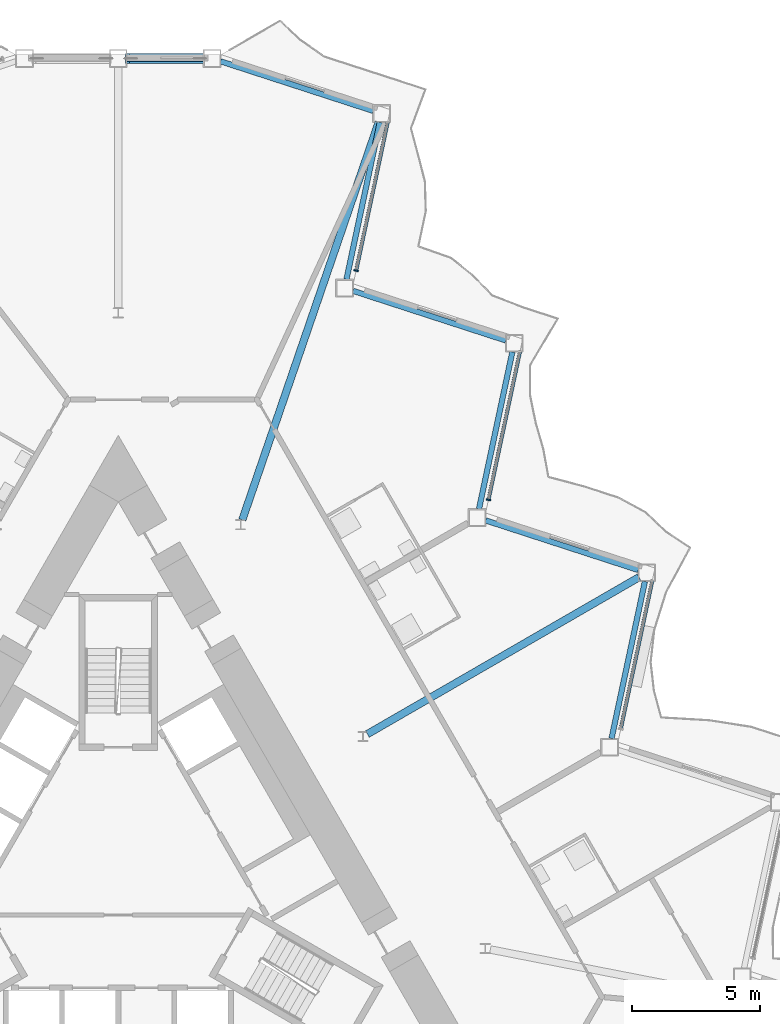
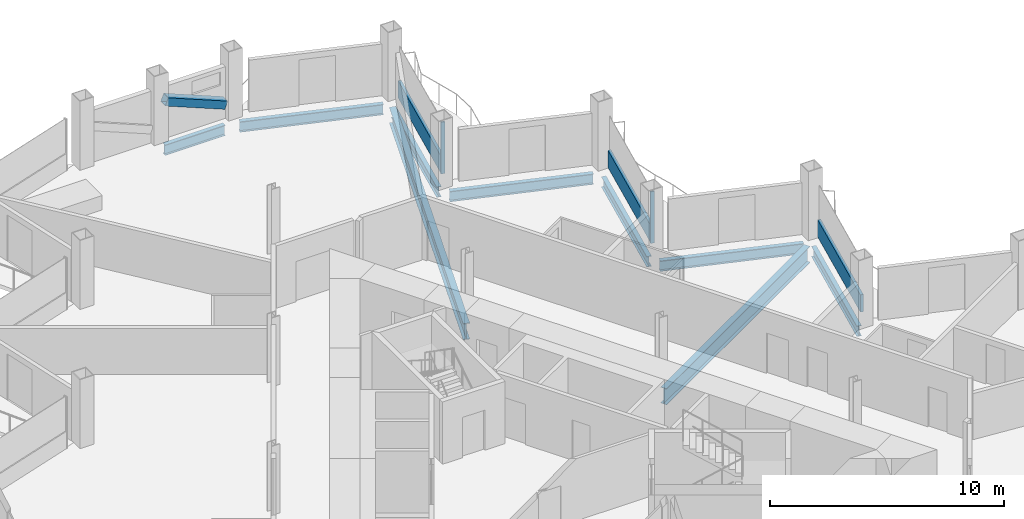
# One storey, part 9 of 23: 9 beams, 6 members, 3 elements without a shape of their own.
"""IFC4 building model written with IfcOpenShell, lengths in metres."""

from ifc_helpers import new_model, si_unit, direction, frame, origin, origin_2d, place, context, subcontext, project, spatial, rectangle, hollow_rectangle, i_section, extrude, material, layer, layer_set, material_profile, profile_set, type_object, element, aggregate, save


model = new_model("IFC4")

# Units and contexts
model_context = context("Model", 3, precision=1e-05, world=origin(), true_north=direction((0.0, 1.0)))
body_context = subcontext(model_context, "Body", "Model", "MODEL_VIEW")
ifc_project = project(units=[si_unit("LENGTHUNIT", "METRE"), si_unit("AREAUNIT", "SQUARE_METRE"), si_unit("VOLUMEUNIT", "CUBIC_METRE"), si_unit("PLANEANGLEUNIT", "RADIAN"), si_unit("MASSUNIT", "GRAM", prefix="KILO")], contexts=[model_context])

# Site, building, storey
site_placement = place(None, origin())
site = spatial("IfcSite", under=ifc_project, at=site_placement, CompositionType="ELEMENT")
building_placement = place(site_placement, origin())
building = spatial("IfcBuilding", under=site, at=building_placement, Name="Cormorant Prow Tower", CompositionType="ELEMENT")
storey_placement = place(building_placement, frame((0.0, 0.0, 252.60009765625)))
storey = spatial("IfcBuildingStorey", under=building, at=storey_placement, Name="L56", CompositionType="ELEMENT", Elevation=252.60009765625)

# Member
ifc_material_1 = material(Name="Structural steel ASTM A500 Gr C", Category="steel")
ifc_material_profile_1 = material_profile(ifc_material_1, hollow_rectangle(XDim=0.406494140625, YDim=0.406494140625, WallThickness=0.01171875, at=origin_2d()), Name="HSS16x16x1/2")
ifc_profile_set_1 = profile_set([ifc_material_profile_1], Name="Structural steel ASTM A500 Gr C")
member_type_1 = type_object("IfcMemberType", Name="Chamfer brace HSS16x16x1/2", PredefinedType="BRACE", material=ifc_profile_set_1)
member_1_placement = place(storey_placement, frame((3.3046875, 32.073486328125, 0.74951171875), z_axis=(-0.925591042089, 0.0, 0.37852506232), x_axis=(0.0, -1.0, 0.0)))
element("IfcMember", 1, at=member_1_placement, inside=storey, type_object=member_type_1, Name="Chamfer brace BR2 at N00 L56", PredefinedType="BRACE", context=body_context, shape_type="SweptSolid", body=[
    extrude(hollow_rectangle(XDim=0.406494140625, YDim=0.406494140625, WallThickness=0.01171875, at=origin_2d()), origin(), (0.0, 0.0, 1.0), 3.17529296875),
])

# Curtain wall, member
ifc_material_2 = material(Name="Aluminium 6063-T6", Category="aluminium")
ifc_layer = layer(ifc_material_2, 0.179931640625)
ifc_layer_set = layer_set([ifc_layer], Name="Aluminium 6063-T6")
curtain_wall_type = type_object("IfcCurtainWallType", Name="Hotel unitised curtain wall 180", PredefinedType="NOTDEFINED", material=ifc_layer_set)
curtain_wall_1_placement = place(storey_placement, origin())
curtain_wall_1 = element("IfcCurtainWall", 2, at=curtain_wall_1_placement, inside=storey, type_object=curtain_wall_type, Name="Hotel curtain wall ENE06", PredefinedType="NOTDEFINED")
ifc_material_3 = material(Name="Aluminium 6063-T6", Category="aluminium")
ifc_material_profile_2 = material_profile(ifc_material_3, rectangle(XDim=0.179931640625, YDim=0.06005859375, at=origin_2d()), Name="Hotel mullion 60x180")
ifc_profile_set_2 = profile_set([ifc_material_profile_2], Name="Aluminium 6063-T6")
member_type_2 = type_object("IfcMemberType", Name="Hotel mullion 60x180", PredefinedType="MULLION", material=ifc_profile_set_2)
member_2_placement = place(storey_placement, frame((14.489013671875, 14.8017578125, 0.0), z_axis=(0.0, 0.0, 1.0), x_axis=(-0.978147572038, 0.207911825822, 0.0)))
member_2 = element("IfcMember", 3, at=member_2_placement, type_object=member_type_2, Name="Hotel mullion ENE06", PredefinedType="MULLION", context=body_context, shape_type="SweptSolid", body=[
    extrude(rectangle(XDim=0.179931640625, YDim=0.06005859375, at=origin_2d()), origin(), (0.0, 0.0, 1.0), 2.70068359375),
])

curtain_wall_2_placement = place(storey_placement, origin())
curtain_wall_2 = element("IfcCurtainWall", 4, at=curtain_wall_2_placement, inside=storey, type_object=curtain_wall_type, Name="Hotel curtain wall ENE08", PredefinedType="NOTDEFINED")
member_3_placement = place(storey_placement, frame((9.3095703125, 23.77294921875, 0.0), z_axis=(0.0, 0.0, 1.0), x_axis=(-0.978147601216, 0.207911688547, 0.0)))
member_3 = element("IfcMember", 5, at=member_3_placement, type_object=member_type_2, Name="Hotel mullion ENE08", PredefinedType="MULLION", context=body_context, shape_type="SweptSolid", body=[
    extrude(rectangle(XDim=0.179931640625, YDim=0.06005859375, at=origin_2d()), origin(), (0.0, 0.0, 1.0), 2.70068359375),
])

curtain_wall_3_placement = place(storey_placement, origin())
curtain_wall_3 = element("IfcCurtainWall", 6, at=curtain_wall_3_placement, inside=storey, type_object=curtain_wall_type, Name="Hotel curtain wall ENE04", PredefinedType="NOTDEFINED")
ifc_material_4 = material(Name="Terracotta", Category="masonry")
ifc_material_profile_3 = material_profile(ifc_material_4, rectangle(XDim=0.139892578125, YDim=0.89990234375, at=origin_2d()), Name="Hotel terracotta spandrel rail 140x900")
ifc_profile_set_3 = profile_set([ifc_material_profile_3], Name="Terracotta")
member_type_3 = type_object("IfcMemberType", Name="Hotel terracotta spandrel rail 140x900", PredefinedType="USERDEFINED", material=ifc_profile_set_3)
member_4_placement = place(storey_placement, frame((19.6748046875, 5.85986328125, 0.449951171875), z_axis=(0.20791164107, 0.978147611308, 0.0), x_axis=(-0.978147611308, 0.20791164107, 0.0)))
member_4 = element("IfcMember", 7, at=member_4_placement, type_object=member_type_3, Name="Hotel spandrel rail ENE04", ObjectType="TRANSOM", PredefinedType="USERDEFINED", context=body_context, shape_type="SweptSolid", body=[
    extrude(rectangle(XDim=0.139892578125, YDim=0.89990234375, at=origin_2d()), origin(), (0.0, 0.0, 1.0), 5.90771484375),
])
aggregate(curtain_wall_3, [member_4])

# Member
member_5_placement = place(storey_placement, frame((14.495361328125, 14.8310546875, 0.449951171875), z_axis=(0.20791164107, 0.978147611308, 0.0), x_axis=(-0.978147611308, 0.20791164107, 0.0)))
member_5 = element("IfcMember", 8, at=member_5_placement, type_object=member_type_3, Name="Hotel spandrel rail ENE06", ObjectType="TRANSOM", PredefinedType="USERDEFINED", context=body_context, shape_type="SweptSolid", body=[
    extrude(rectangle(XDim=0.139892578125, YDim=0.89990234375, at=origin_2d()), origin(), (0.0, 0.0, 1.0), 5.90771484375),
])

aggregate(curtain_wall_1, [member_2, member_5])

member_6_placement = place(storey_placement, frame((9.31591796875, 23.80224609375, 0.449951171875), z_axis=(0.20791164107, 0.978147611308, 0.0), x_axis=(-0.978147611308, 0.20791164107, 0.0)))
member_6 = element("IfcMember", 9, at=member_6_placement, type_object=member_type_3, Name="Hotel spandrel rail ENE08", ObjectType="TRANSOM", PredefinedType="USERDEFINED", context=body_context, shape_type="SweptSolid", body=[
    extrude(rectangle(XDim=0.139892578125, YDim=0.89990234375, at=origin_2d()), origin(), (0.0, 0.0, 1.0), 5.90771484375),
])

aggregate(curtain_wall_2, [member_3, member_6])

# Beams
ifc_material_5 = material(Name="Structural steel ASTM A992 Gr 50", Category="steel")
ifc_material_profile_4 = material_profile(ifc_material_5, i_section(OverallWidth=0.29296875, OverallDepth=0.845703125, WebThickness=0.015380859375, FlangeThickness=0.0244140625, at=origin_2d()), Name="W33x141")
ifc_profile_set_4 = profile_set([ifc_material_profile_4], Name="Structural steel ASTM A992 Gr 50")
beam_type_1 = type_object("IfcBeamType", Name="Radial floor beam W33x141", PredefinedType="BEAM", material=ifc_profile_set_4)
beam_1_placement = place(storey_placement, frame((9.751220703125, 5.6298828125, -0.77294921875), z_axis=(0.866021995826, 0.500005902711, 0.0), x_axis=(-0.500005902711, 0.866021995826, 0.0)))
element("IfcBeam", 10, at=beam_1_placement, inside=storey, type_object=beam_type_1, Name="Radial floor beam FB2 11 L56", PredefinedType="BEAM", context=body_context, shape_type="SweptSolid", body=[
    extrude(i_section(OverallWidth=0.29296875, OverallDepth=0.845703125, WebThickness=0.015380859375, FlangeThickness=0.0244140625, at=origin_2d()), origin(), (0.0, 0.0, 1.0), 12.277099609375),
])
beam_2_placement = place(storey_placement, frame((4.85400390625, 14.013916015625, -0.77294921875), z_axis=(0.324535507117, 0.945873514071, 0.0), x_axis=(-0.945873514071, 0.324535507117, 0.0)))
element("IfcBeam", 11, at=beam_2_placement, inside=storey, type_object=beam_type_1, Name="Radial floor beam FB2 12 L56", PredefinedType="BEAM", context=body_context, shape_type="SweptSolid", body=[
    extrude(i_section(OverallWidth=0.29296875, OverallDepth=0.845703125, WebThickness=0.015380859375, FlangeThickness=0.0244140625, at=origin_2d()), origin(), (0.0, 0.0, 1.0), 16.462158203125),
])
ifc_material_6 = material(Name="Structural steel ASTM A992 Gr 50", Category="steel")
ifc_material_profile_5 = material_profile(ifc_material_6, i_section(OverallWidth=0.2138671875, OverallDepth=0.549072265625, WebThickness=0.0146484375, FlangeThickness=0.023681640625, at=origin_2d()), Name="W21x93")
ifc_profile_set_5 = profile_set([ifc_material_profile_5], Name="Structural steel ASTM A992 Gr 50")
beam_type_2 = type_object("IfcBeamType", Name="Spandrel beam W21x93", PredefinedType="SPANDREL", material=ifc_profile_set_5)
beam_3_placement = place(storey_placement, frame((19.307861328125, 5.456787109375, -0.624755859375), z_axis=(0.207933593793, 0.978142944856, 0.0), x_axis=(-0.978142944856, 0.207933593793, 0.0)))
element("IfcBeam", 12, at=beam_3_placement, inside=storey, type_object=beam_type_2, Name="Spandrel beam SB2 ENE04-ENE05 L56", PredefinedType="SPANDREL", context=body_context, shape_type="SweptSolid", body=[
    extrude(i_section(OverallWidth=0.2138671875, OverallDepth=0.549072265625, WebThickness=0.0146484375, FlangeThickness=0.023681640625, at=origin_2d()), origin(), (0.0, 0.0, 1.0), 6.281494140625),
])
beam_4_placement = place(storey_placement, frame((20.353759765625, 12.051513671875, -0.624755859375), z_axis=(-0.951050348284, 0.309035976918, 0.0), x_axis=(-0.309035976918, -0.951050348284, 0.0)))
element("IfcBeam", 13, at=beam_4_placement, inside=storey, type_object=beam_type_2, Name="Spandrel beam SB2 ENE05-ENE06 L56", PredefinedType="SPANDREL", context=body_context, shape_type="SweptSolid", body=[
    extrude(i_section(OverallWidth=0.2138671875, OverallDepth=0.549072265625, WebThickness=0.0146484375, FlangeThickness=0.023681640625, at=origin_2d()), origin(), (0.0, 0.0, 1.0), 6.28125),
])
beam_5_placement = place(storey_placement, frame((14.11962890625, 14.443115234375, -0.624755859375), z_axis=(0.207933593793, 0.978142944856, 0.0), x_axis=(-0.978142944856, 0.207933593793, 0.0)))
element("IfcBeam", 14, at=beam_5_placement, inside=storey, type_object=beam_type_2, Name="Spandrel beam SB2 ENE06-ENE07 L56", PredefinedType="SPANDREL", context=body_context, shape_type="SweptSolid", body=[
    extrude(i_section(OverallWidth=0.2138671875, OverallDepth=0.549072265625, WebThickness=0.0146484375, FlangeThickness=0.023681640625, at=origin_2d()), origin(), (0.0, 0.0, 1.0), 6.281494140625),
])
beam_6_placement = place(storey_placement, frame((15.16552734375, 21.037841796875, -0.624755859375), z_axis=(-0.951050348284, 0.309035976918, 0.0), x_axis=(-0.309035976918, -0.951050348284, 0.0)))
element("IfcBeam", 15, at=beam_6_placement, inside=storey, type_object=beam_type_2, Name="Spandrel beam SB2 ENE07-ENE08 L56", PredefinedType="SPANDREL", context=body_context, shape_type="SweptSolid", body=[
    extrude(i_section(OverallWidth=0.2138671875, OverallDepth=0.549072265625, WebThickness=0.0146484375, FlangeThickness=0.023681640625, at=origin_2d()), origin(), (0.0, 0.0, 1.0), 6.28125),
])
for number, where, z_axis, x_axis, name in (
    (16, (8.931396484375, 23.429443359375, -0.624755859375), (0.207896407679, 0.97815084914, 0.0), (-0.97815084914, 0.207896407679, 0.0), "Spandrel beam SB2 ENE08-ENE09 L56"),
    (17, (9.977294921875, 30.024169921875, -0.624755859375), (-0.951054060056, 0.309024553801, 0.0), (-0.309024553801, -0.951054060056, 0.0), "Spandrel beam SB2 ENE09-N00 L56"),
):
    element("IfcBeam", number, at=place(storey_placement, frame(where, z_axis=z_axis, x_axis=x_axis)), inside=storey, type_object=beam_type_2, Name=name, PredefinedType="SPANDREL", context=body_context, shape_type="SweptSolid", body=[
        extrude(i_section(OverallWidth=0.2138671875, OverallDepth=0.549072265625, WebThickness=0.0146484375, FlangeThickness=0.023681640625, at=origin_2d()), origin(), (0.0, 0.0, 1.0), 6.281494140625),
    ])
beam_7_placement = place(storey_placement, frame((3.3203125, 32.073486328125, -0.624755859375), z_axis=(-1.0, 0.0, 0.0), x_axis=(0.0, -1.0, 0.0)))
element("IfcBeam", 18, at=beam_7_placement, inside=storey, type_object=beam_type_2, Name="Spandrel beam SB2 N00-N01 L56", PredefinedType="SPANDREL", context=body_context, shape_type="SweptSolid", body=[
    extrude(i_section(OverallWidth=0.2138671875, OverallDepth=0.549072265625, WebThickness=0.0146484375, FlangeThickness=0.023681640625, at=origin_2d()), origin(), (0.0, 0.0, 1.0), 2.97021484375),
])

save(model, "model.ifc")
